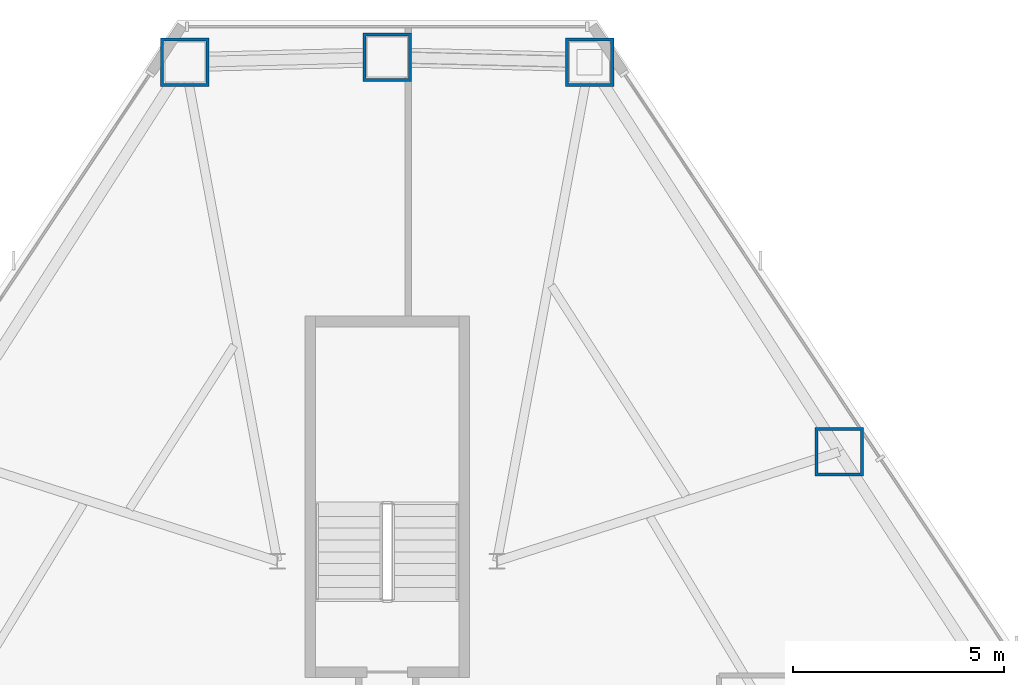
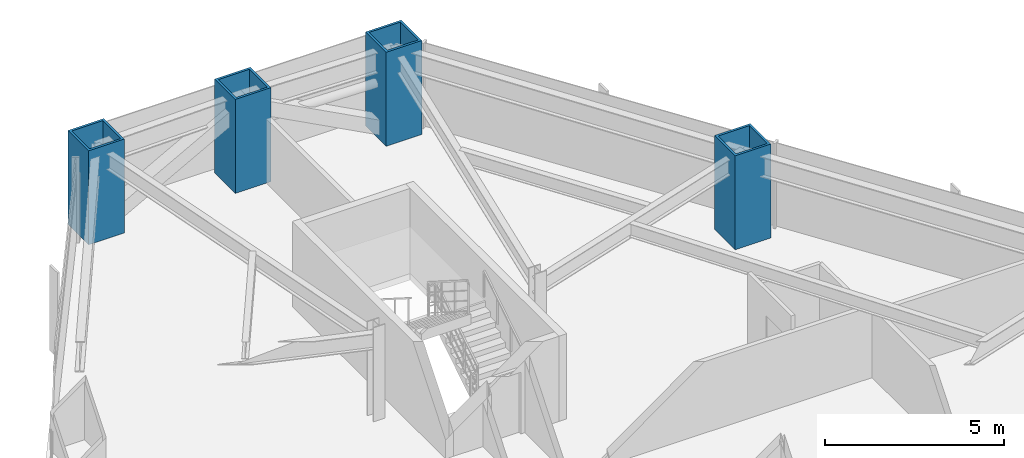
# One storey, part 3 of 12: 4 columns.
"""IFC4 building model written with IfcOpenShell, lengths in metres."""

from ifc_helpers import new_model, si_unit, direction, frame, origin, origin_2d, place, context, subcontext, project, spatial, hollow_rectangle, extrude, material, material_profile, profile_set, type_object, element, save


model = new_model("IFC4")

# Units and contexts
model_context = context("Model", 3, precision=1e-05, world=origin(), true_north=direction((0.0, 1.0)))
body_context = subcontext(model_context, "Body", "Model", "MODEL_VIEW")
ifc_project = project(units=[si_unit("LENGTHUNIT", "METRE"), si_unit("AREAUNIT", "SQUARE_METRE"), si_unit("VOLUMEUNIT", "CUBIC_METRE"), si_unit("PLANEANGLEUNIT", "RADIAN"), si_unit("MASSUNIT", "GRAM", prefix="KILO")], contexts=[model_context])

# Site, building, storey
site_placement = place(None, origin())
site = spatial("IfcSite", under=ifc_project, at=site_placement, CompositionType="ELEMENT")
building_placement = place(site_placement, origin())
building = spatial("IfcBuilding", under=site, at=building_placement, Name="Varakhsha Concourse Tower", CompositionType="ELEMENT")
storey_placement = place(building_placement, frame((0.0, 0.0, 65.60009765625)))
storey = spatial("IfcBuildingStorey", under=building, at=storey_placement, Name="L18", CompositionType="ELEMENT", Elevation=65.60009765625)

# Columns
ifc_material = material(Name="Structural Steel ASTM A572 Grade 50", Category="steel")
ifc_material_profile = material_profile(ifc_material, hollow_rectangle(XDim=1.14990234375, YDim=1.14990234375, WallThickness=0.074951171875, at=origin_2d()), Name="BOX 1150x1150x75")
ifc_profile_set = profile_set([ifc_material_profile], Name="Structural Steel ASTM A572 Grade 50")
column_type = type_object("IfcColumnType", Name="CL-TUBE-1150", PredefinedType="COLUMN", material=ifc_profile_set)
for number, where, z_axis, x_axis, name in (
    (1, (44.791015625, 53.015625, 0.0), (0.0, 0.0, 1.0), (1.0, 0.0, 0.0), "L18 Framed-Tube Column TC01"),
    (2, (40.0, 53.134033203125, 0.0), (0.0, 0.0, 1.0), (1.0, 0.0, 0.0), "L18 Framed-Tube Column TC02"),
    (3, (35.208984375, 53.015625, 0.0), (0.0, 0.0, 1.0), (1.0, 0.0, 0.0), "L18 Framed-Tube Column TC03"),
    (4, (50.701416015625, 43.7900390625, 0.0), (0.0, 0.0, 1.0), (1.0, 0.0, 0.0), "L18 Framed-Tube Column TC18"),
):
    element("IfcColumn", number, at=place(storey_placement, frame(where, z_axis=z_axis, x_axis=x_axis)), inside=storey, type_object=column_type, Name=name, PredefinedType="COLUMN", context=body_context, shape_type="SweptSolid", body=[
        extrude(hollow_rectangle(XDim=1.14990234375, YDim=1.14990234375, WallThickness=0.074951171875, at=origin_2d()), origin(), (0.0, 0.0, 1.0), 3.199951171875),
    ])

save(model, "model.ifc")
